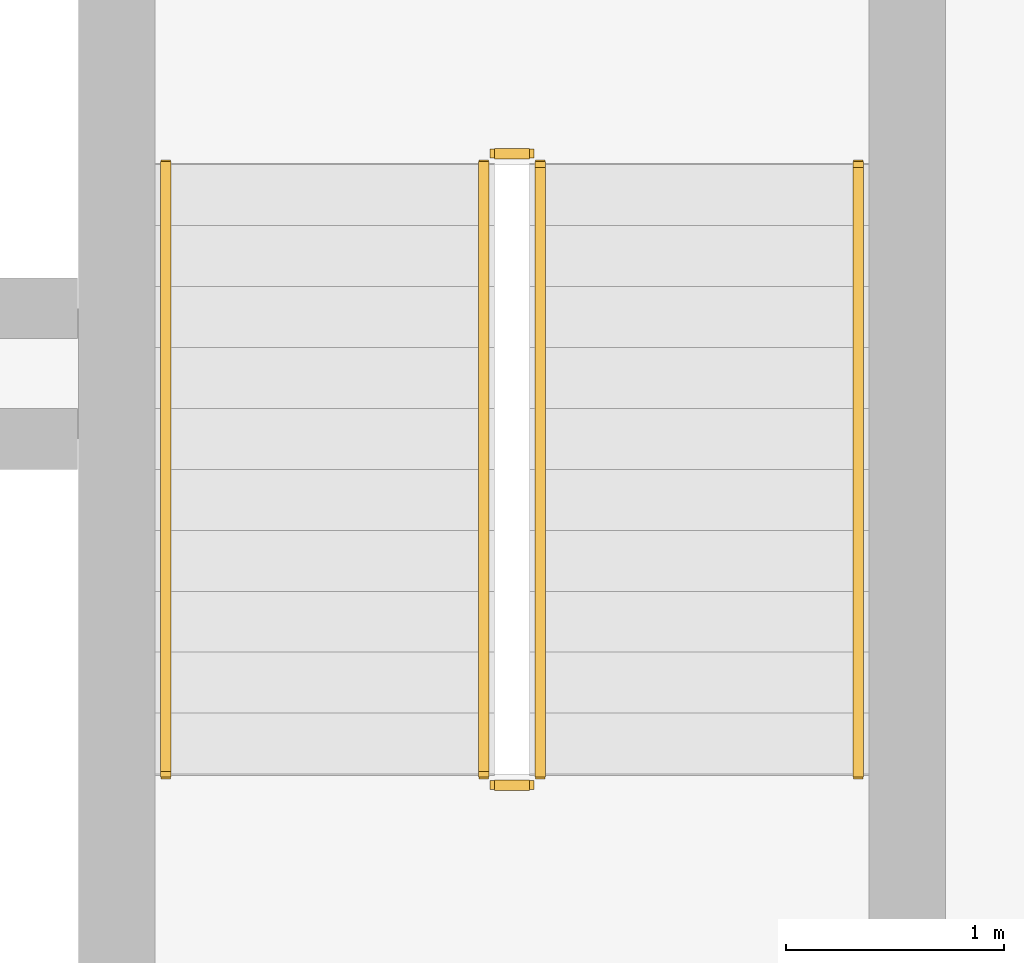
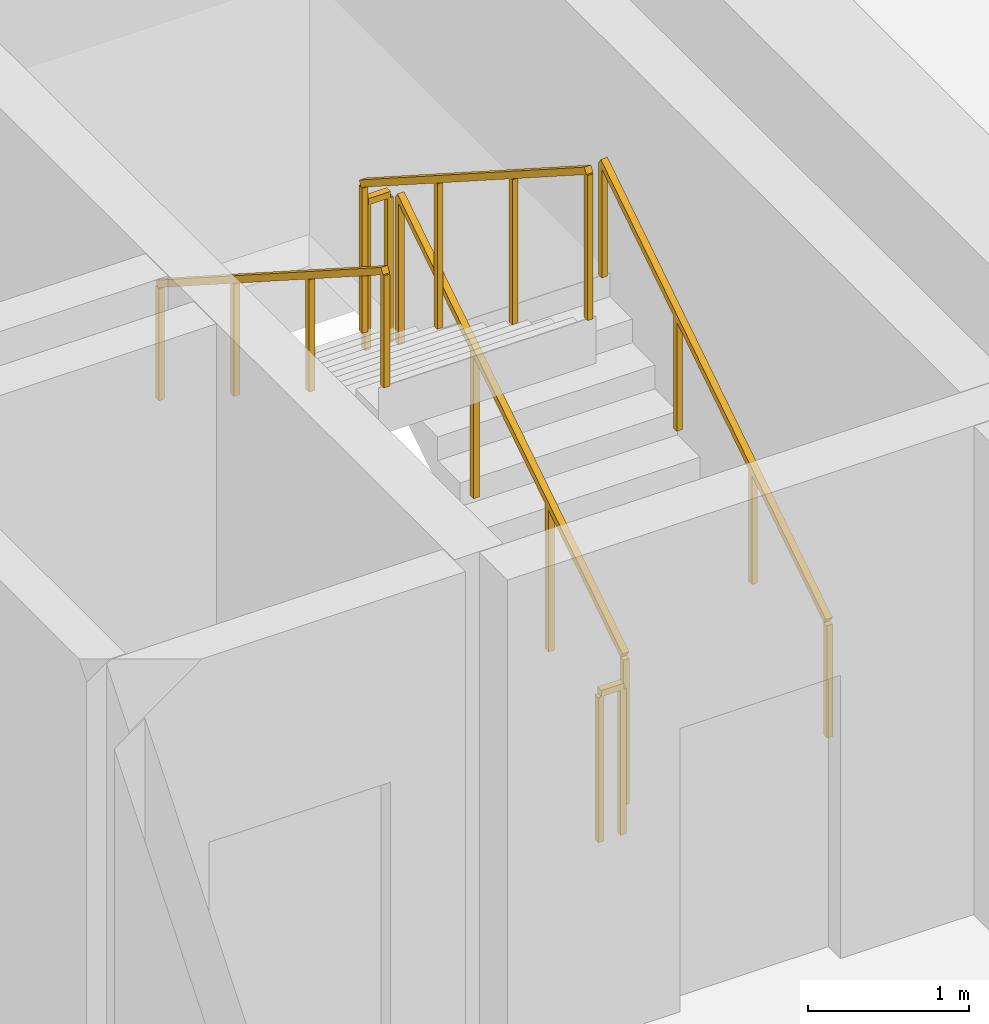
# One storey, part 11 of 11: 6 railings.
"""IFC4 building model written with IfcOpenShell, lengths in metres."""

from ifc_helpers import new_model, si_unit, direction, frame, origin, origin_2d, place, context, subcontext, project, spatial, rectangle, extrude, material, type_object, element, save


model = new_model("IFC4")

# Units and contexts
model_context = context("Model", 3, precision=1e-05, world=origin(), true_north=direction((0.0, 1.0)))
body_context = subcontext(model_context, "Body", "Model", "MODEL_VIEW")
ifc_project = project(units=[si_unit("LENGTHUNIT", "METRE"), si_unit("AREAUNIT", "SQUARE_METRE"), si_unit("VOLUMEUNIT", "CUBIC_METRE"), si_unit("PLANEANGLEUNIT", "RADIAN"), si_unit("MASSUNIT", "GRAM", prefix="KILO")], contexts=[model_context])

# Site, building, storey
site_placement = place(None, origin())
site = spatial("IfcSite", under=ifc_project, at=site_placement, CompositionType="ELEMENT")
building_placement = place(site_placement, origin())
building = spatial("IfcBuilding", under=site, at=building_placement, Name="Kaelvorn Grand Hotel", CompositionType="ELEMENT")
storey_placement = place(building_placement, frame((0.0, 0.0, 233.10009765625)))
storey = spatial("IfcBuildingStorey", under=building, at=storey_placement, Name="L57", CompositionType="ELEMENT", Elevation=233.10009765625)

# Railings
ifc_material = material(Name="Stainless Steel", Category="steel")
railing_type_1 = type_object("IfcRailingType", Name="RL-HANDRAIL-900", PredefinedType="HANDRAIL", material=ifc_material)
railing_1_placement = place(storey_placement, frame((66.550048828125, 41.760009765625, 0.179443359375)))
element("IfcRailing", 1, at=railing_1_placement, inside=storey, type_object=railing_type_1, Name="L57 ST3 stair handrail 1", PredefinedType="HANDRAIL", context=body_context, shape_type="SweptSolid", body=[
    extrude(rectangle(XDim=0.048095703125, YDim=0.048095703125, at=origin_2d()), frame((0.0, 0.0, 0.8759765625), z_axis=(0.0, 0.841809871826, 0.539774156196), x_axis=(-1.0, 0.0, 0.0)), (0.0, 0.0, 1.0), 3.326171875),
    extrude(rectangle(XDim=0.0419921875, YDim=0.0419921875, at=origin_2d()), origin(), (0.0, 0.0, 1.0), 0.851806640625),
    extrude(rectangle(XDim=0.0419921875, YDim=0.0419921875, at=origin_2d()), frame((0.0, 0.933349609375, 0.598388671875)), (0.0, 0.0, 1.0), 0.851806640625),
    extrude(rectangle(XDim=0.0419921875, YDim=0.0419921875, at=origin_2d()), frame((0.0, 1.86669921875, 1.197021484375)), (0.0, 0.0, 1.0), 0.851806640625),
    extrude(rectangle(XDim=0.0419921875, YDim=0.0419921875, at=origin_2d()), frame((0.0, 2.800048828125, 1.79541015625)), (0.0, 0.0, 1.0), 0.851806640625),
])
railing_2_placement = place(storey_placement, frame((63.3701171875, 44.56005859375, 2.154541015625)))
element("IfcRailing", 2, at=railing_2_placement, inside=storey, type_object=railing_type_1, Name="L57 ST3 stair handrail 2", PredefinedType="HANDRAIL", context=body_context, shape_type="SweptSolid", body=[
    extrude(rectangle(XDim=0.048095703125, YDim=0.048095703125, at=origin_2d()), frame((0.0, 0.0, 0.8759765625), z_axis=(0.0, -0.841809871826, 0.539774156196), x_axis=(1.0, 0.0, 0.0)), (0.0, 0.0, 1.0), 3.326171875),
    extrude(rectangle(XDim=0.0419921875, YDim=0.0419921875, at=origin_2d()), origin(), (0.0, 0.0, 1.0), 0.851806640625),
    extrude(rectangle(XDim=0.0419921875, YDim=0.0419921875, at=origin_2d()), frame((0.0, -0.933349609375, 0.598388671875)), (0.0, 0.0, 1.0), 0.851806640625),
    extrude(rectangle(XDim=0.0419921875, YDim=0.0419921875, at=origin_2d()), frame((0.0, -1.86669921875, 1.197021484375)), (0.0, 0.0, 1.0), 0.851806640625),
    extrude(rectangle(XDim=0.0419921875, YDim=0.0419921875, at=origin_2d()), frame((0.0, -2.800048828125, 1.79541015625)), (0.0, 0.0, 1.0), 0.851806640625),
])
railing_type_2 = type_object("IfcRailingType", Name="RL-STAIR-GUARD-1150", PredefinedType="BALUSTRADE", material=ifc_material)
railing_3_placement = place(storey_placement, frame((65.090087890625, 41.760009765625, 0.179443359375)))
element("IfcRailing", 3, at=railing_3_placement, inside=storey, type_object=railing_type_2, Name="L57 ST3 stair guard 1", PredefinedType="BALUSTRADE", context=body_context, shape_type="SweptSolid", body=[
    extrude(rectangle(XDim=0.048095703125, YDim=0.048095703125, at=origin_2d()), frame((0.0, 0.0, 1.1259765625), z_axis=(0.0, 0.841809871826, 0.539774156196), x_axis=(-1.0, 0.0, 0.0)), (0.0, 0.0, 1.0), 3.326171875),
    extrude(rectangle(XDim=0.0419921875, YDim=0.0419921875, at=origin_2d()), origin(), (0.0, 0.0, 1.0), 1.101806640625),
    extrude(rectangle(XDim=0.0419921875, YDim=0.0419921875, at=origin_2d()), frame((0.0, 0.933349609375, 0.598388671875)), (0.0, 0.0, 1.0), 1.101806640625),
    extrude(rectangle(XDim=0.0419921875, YDim=0.0419921875, at=origin_2d()), frame((0.0, 1.86669921875, 1.197021484375)), (0.0, 0.0, 1.0), 1.101806640625),
    extrude(rectangle(XDim=0.0419921875, YDim=0.0419921875, at=origin_2d()), frame((0.0, 2.800048828125, 1.79541015625)), (0.0, 0.0, 1.0), 1.101806640625),
])
railing_4_placement = place(storey_placement, frame((65.0400390625, 44.610107421875, 1.974853515625)))
element("IfcRailing", 4, at=railing_4_placement, inside=storey, type_object=railing_type_2, Name="L57 ST3 stair guard 2", PredefinedType="BALUSTRADE", context=body_context, shape_type="SweptSolid", body=[
    extrude(rectangle(XDim=0.048095703125, YDim=0.048095703125, at=origin_2d()), frame((0.0, 0.0, 1.1259765625), z_axis=(-1.0, 0.0, 0.0), x_axis=(0.0, -1.0, 0.0)), (0.0, 0.0, 1.0), 0.16015625),
    extrude(rectangle(XDim=0.0419921875, YDim=0.0419921875, at=origin_2d()), origin(), (0.0, 0.0, 1.0), 1.101806640625),
    extrude(rectangle(XDim=0.0419921875, YDim=0.0419921875, at=origin_2d()), frame((-0.16015625, 0.0, 0.0)), (0.0, 0.0, 1.0), 1.101806640625),
])
railing_5_placement = place(storey_placement, frame((64.830078125, 44.56005859375, 2.154541015625)))
element("IfcRailing", 5, at=railing_5_placement, inside=storey, type_object=railing_type_2, Name="L57 ST3 stair guard 3", PredefinedType="BALUSTRADE", context=body_context, shape_type="SweptSolid", body=[
    extrude(rectangle(XDim=0.048095703125, YDim=0.048095703125, at=origin_2d()), frame((0.0, 0.0, 1.1259765625), z_axis=(0.0, -0.841809871826, 0.539774156196), x_axis=(1.0, 0.0, 0.0)), (0.0, 0.0, 1.0), 3.326171875),
    extrude(rectangle(XDim=0.0419921875, YDim=0.0419921875, at=origin_2d()), origin(), (0.0, 0.0, 1.0), 1.101806640625),
    extrude(rectangle(XDim=0.0419921875, YDim=0.0419921875, at=origin_2d()), frame((0.0, -0.933349609375, 0.598388671875)), (0.0, 0.0, 1.0), 1.101806640625),
    extrude(rectangle(XDim=0.0419921875, YDim=0.0419921875, at=origin_2d()), frame((0.0, -1.86669921875, 1.197021484375)), (0.0, 0.0, 1.0), 1.101806640625),
    extrude(rectangle(XDim=0.0419921875, YDim=0.0419921875, at=origin_2d()), frame((0.0, -2.800048828125, 1.79541015625)), (0.0, 0.0, 1.0), 1.101806640625),
])
railing_6_placement = place(storey_placement, frame((65.0400390625, 41.7099609375, 0.0)))
element("IfcRailing", 6, at=railing_6_placement, inside=storey, type_object=railing_type_2, Name="L57 ST3 stair guard 4", PredefinedType="BALUSTRADE", context=body_context, shape_type="SweptSolid", body=[
    extrude(rectangle(XDim=0.048095703125, YDim=0.048095703125, at=origin_2d()), frame((0.0, 0.0, 1.1259765625), z_axis=(-1.0, 0.0, 0.0), x_axis=(0.0, -1.0, 0.0)), (0.0, 0.0, 1.0), 0.16015625),
    extrude(rectangle(XDim=0.0419921875, YDim=0.0419921875, at=origin_2d()), origin(), (0.0, 0.0, 1.0), 1.101806640625),
    extrude(rectangle(XDim=0.0419921875, YDim=0.0419921875, at=origin_2d()), frame((-0.16015625, 0.0, 0.0)), (0.0, 0.0, 1.0), 1.101806640625),
])

save(model, "model.ifc")
